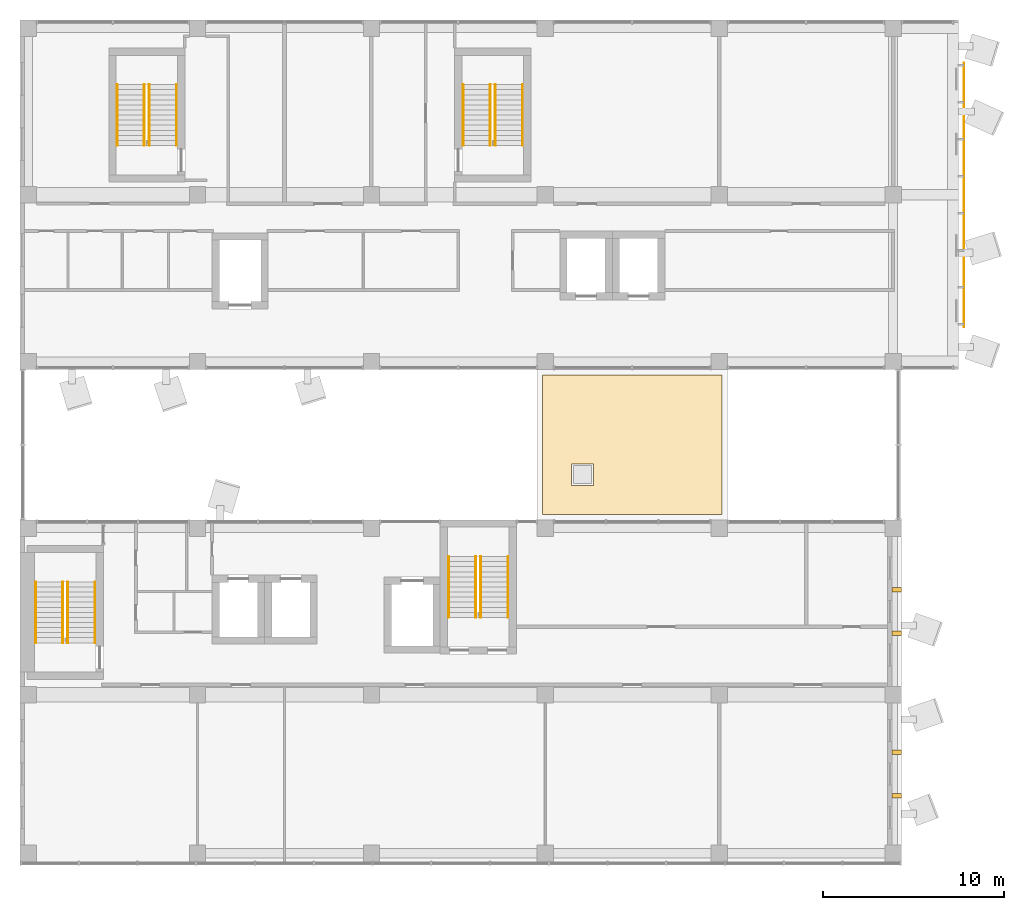
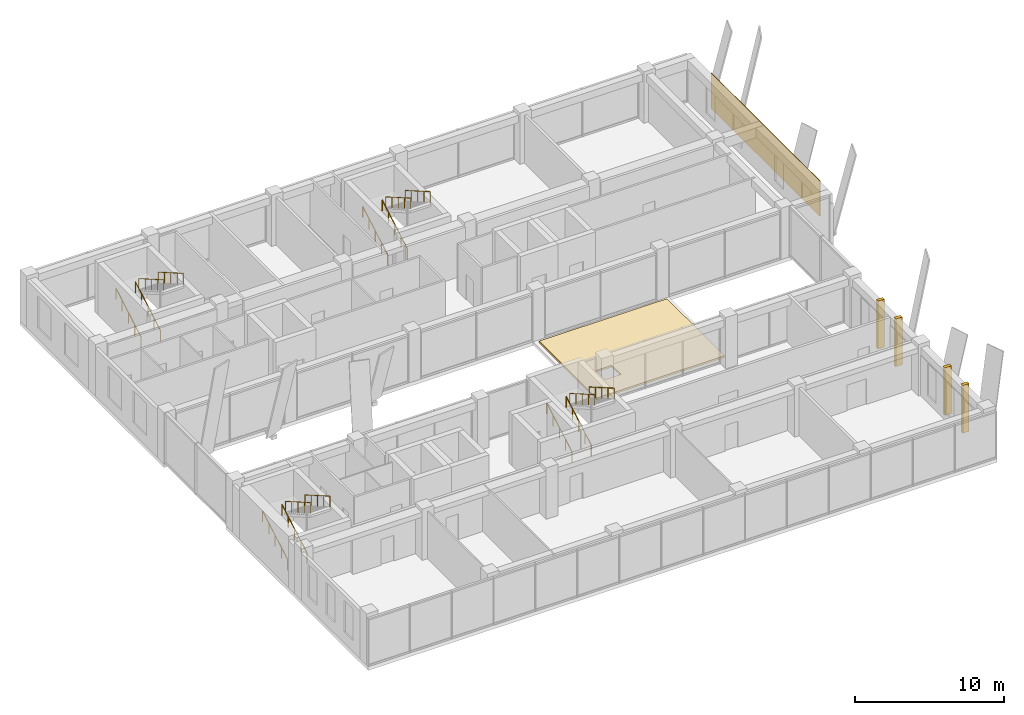
# One storey, part 33 of 38: 16 railings, 5 shading devices, 1 covering.
"""IFC4 building model written with IfcOpenShell, lengths in metres."""

from ifc_helpers import new_model, si_unit, direction, frame, origin, origin_2d, place, context, subcontext, project, spatial, polyline, rectangle, circle, outline, extrude, material, layer, layer_set, type_object, element, save


model = new_model("IFC4")

# Units and contexts
model_context = context("Model", 3, precision=1e-05, world=origin(), true_north=direction((0.0, 1.0)))
body_context = subcontext(model_context, "Body", "Model", "MODEL_VIEW")
ifc_project = project(units=[si_unit("LENGTHUNIT", "METRE"), si_unit("AREAUNIT", "SQUARE_METRE"), si_unit("VOLUMEUNIT", "CUBIC_METRE"), si_unit("PLANEANGLEUNIT", "RADIAN"), si_unit("MASSUNIT", "GRAM", prefix="KILO")], contexts=[model_context])

# Site, building, storey
site_placement = place(None, origin())
site = spatial("IfcSite", under=ifc_project, at=site_placement, CompositionType="ELEMENT")
building_placement = place(site_placement, origin())
building = spatial("IfcBuilding", under=site, at=building_placement, Name="Nzadi Deep Aquarium and Research Tower", CompositionType="ELEMENT")
storey_placement = place(building_placement, frame((0.0, 0.0, 52.89990234375)))
storey = spatial("IfcBuildingStorey", under=building, at=storey_placement, Name="L10", CompositionType="ELEMENT", Elevation=52.89990234375)

# Shading devices
ifc_material_1 = material(Name="Concrete C35/45", Category="concrete")
shading_device_type_1 = type_object("IfcShadingDeviceType", Name="Fin board-formed concrete 250 deep", PredefinedType="USERDEFINED", material=ifc_material_1)
for number, where, z_axis, x_axis, name in (
    (1, (48.199951171875, 3.625, 0.000244140625), (0.0, 0.0, 1.0), (1.0, 0.0, 0.0), "Fin blade A east L10"),
    (2, (48.199951171875, 6.02490234375, 0.000244140625), (0.0, 0.0, 1.0), (1.0, 0.0, 0.0), "Fin blade A east L10"),
    (3, (48.199951171875, 12.60009765625, 0.000244140625), (0.0, 0.0, 1.0), (1.0, 0.0, 0.0), "Fin blade A east L10"),
    (4, (48.199951171875, 15.0, 0.000244140625), (0.0, 0.0, 1.0), (1.0, 0.0, 0.0), "Fin blade A east L10"),
):
    element("IfcShadingDevice", number, at=place(storey_placement, frame(where, z_axis=z_axis, x_axis=x_axis)), inside=storey, type_object=shading_device_type_1, Name=name, ObjectType="Fin", PredefinedType="USERDEFINED", context=body_context, shape_type="SweptSolid", body=[
        extrude(rectangle(XDim=0.5, YDim=0.25, at=origin_2d()), origin(), (0.0, 0.0, 1.0), 3.89990234375),
    ])

# Railings
ifc_material_2 = material(Name="Stainless steel 1.4301", Category="steel")
railing_type = type_object("IfcRailingType", Name="HANDRAIL 900", PredefinedType="HANDRAIL", material=ifc_material_2)
for number, where, name in (
    (5, (0.659912109375, 12.070068359375, 0.16162109375), "HR-ST-Z1-SW-L10-F1"),
    (6, (2.1650390625, 12.070068359375, 0.16162109375), "HR-ST-Z1-SW-L10-F1W"),
):
    element("IfcRailing", number, at=place(storey_placement, frame(where)), inside=storey, type_object=railing_type, Name=name, PredefinedType="HANDRAIL", context=body_context, shape_type="SweptSolid", body=[
        extrude(circle(Radius=0.02392578125, at=origin_2d()), frame((0.0, 0.0, 0.8759765625), z_axis=(0.0, 0.866175107563, 0.499740615757), x_axis=(-1.0, 0.0, 0.0)), (0.0, 0.0, 1.0), 3.87890625),
        extrude(circle(Radius=0.02099609375, at=origin_2d()), origin(), (0.0, 0.0, 1.0), 0.851806640625),
        extrude(circle(Radius=0.02099609375, at=origin_2d()), frame((0.0, 0.83984375, 0.484619140625)), (0.0, 0.0, 1.0), 0.851806640625),
        extrude(circle(Radius=0.02099609375, at=origin_2d()), frame((0.0, 1.679931640625, 0.96923828125)), (0.0, 0.0, 1.0), 0.851806640625),
        extrude(circle(Radius=0.02099609375, at=origin_2d()), frame((0.0, 2.52001953125, 1.453857421875)), (0.0, 0.0, 1.0), 0.851806640625),
        extrude(circle(Radius=0.02099609375, at=origin_2d()), frame((0.0, 3.35986328125, 1.9384765625)), (0.0, 0.0, 1.0), 0.851806640625),
    ])
for number, where, name in (
    (7, (3.93994140625, 15.429931640625, 2.26171875), "HR-ST-Z1-SW-L10-F2"),
    (8, (2.43505859375, 15.429931640625, 2.26171875), "HR-ST-Z1-SW-L10-F2W"),
):
    element("IfcRailing", number, at=place(storey_placement, frame(where)), inside=storey, type_object=railing_type, Name=name, PredefinedType="HANDRAIL", context=body_context, shape_type="SweptSolid", body=[
        extrude(circle(Radius=0.02392578125, at=origin_2d()), frame((0.0, 0.0, 0.8759765625), z_axis=(0.0, -0.866175107563, 0.499740615757), x_axis=(1.0, 0.0, 0.0)), (0.0, 0.0, 1.0), 3.87890625),
        extrude(circle(Radius=0.02099609375, at=origin_2d()), origin(), (0.0, 0.0, 1.0), 0.851806640625),
        extrude(circle(Radius=0.02099609375, at=origin_2d()), frame((0.0, -0.83984375, 0.484619140625)), (0.0, 0.0, 1.0), 0.851806640625),
        extrude(circle(Radius=0.02099609375, at=origin_2d()), frame((0.0, -1.679931640625, 0.96923828125)), (0.0, 0.0, 1.0), 0.851806640625),
        extrude(circle(Radius=0.02099609375, at=origin_2d()), frame((0.0, -2.52001953125, 1.453857421875)), (0.0, 0.0, 1.0), 0.851806640625),
        extrude(circle(Radius=0.02099609375, at=origin_2d()), frame((0.0, -3.35986328125, 1.9384765625)), (0.0, 0.0, 1.0), 0.851806640625),
    ])
for number, where, name in (
    (9, (23.4599609375, 13.469970703125, 0.16162109375), "HR-ST-Z1-SE-L10-F1"),
    (10, (24.965087890625, 13.469970703125, 0.16162109375), "HR-ST-Z1-SE-L10-F1W"),
):
    element("IfcRailing", number, at=place(storey_placement, frame(where)), inside=storey, type_object=railing_type, Name=name, PredefinedType="HANDRAIL", context=body_context, shape_type="SweptSolid", body=[
        extrude(circle(Radius=0.02392578125, at=origin_2d()), frame((0.0, 0.0, 0.8759765625), z_axis=(0.0, 0.866190824863, 0.499713372768), x_axis=(-1.0, 0.0, 0.0)), (0.0, 0.0, 1.0), 3.879150390625),
        extrude(circle(Radius=0.02099609375, at=origin_2d()), origin(), (0.0, 0.0, 1.0), 0.851806640625),
        extrude(circle(Radius=0.02099609375, at=origin_2d()), frame((0.0, 0.840087890625, 0.484619140625)), (0.0, 0.0, 1.0), 0.851806640625),
        extrude(circle(Radius=0.02099609375, at=origin_2d()), frame((0.0, 1.68017578125, 0.96923828125)), (0.0, 0.0, 1.0), 0.851806640625),
        extrude(circle(Radius=0.02099609375, at=origin_2d()), frame((0.0, 2.52001953125, 1.453857421875)), (0.0, 0.0, 1.0), 0.851806640625),
        extrude(circle(Radius=0.02099609375, at=origin_2d()), frame((0.0, 3.360107421875, 1.9384765625)), (0.0, 0.0, 1.0), 0.851806640625),
    ])
for number, where, name in (
    (11, (26.739990234375, 16.830078125, 2.26171875), "HR-ST-Z1-SE-L10-F2"),
    (12, (25.235107421875, 16.830078125, 2.26171875), "HR-ST-Z1-SE-L10-F2W"),
):
    element("IfcRailing", number, at=place(storey_placement, frame(where)), inside=storey, type_object=railing_type, Name=name, PredefinedType="HANDRAIL", context=body_context, shape_type="SweptSolid", body=[
        extrude(circle(Radius=0.02392578125, at=origin_2d()), frame((0.0, 0.0, 0.8759765625), z_axis=(0.0, -0.866190824863, 0.499713372768), x_axis=(1.0, 0.0, 0.0)), (0.0, 0.0, 1.0), 3.879150390625),
        extrude(circle(Radius=0.02099609375, at=origin_2d()), origin(), (0.0, 0.0, 1.0), 0.851806640625),
        extrude(circle(Radius=0.02099609375, at=origin_2d()), frame((0.0, -0.840087890625, 0.484619140625)), (0.0, 0.0, 1.0), 0.851806640625),
        extrude(circle(Radius=0.02099609375, at=origin_2d()), frame((0.0, -1.68017578125, 0.96923828125)), (0.0, 0.0, 1.0), 0.851806640625),
        extrude(circle(Radius=0.02099609375, at=origin_2d()), frame((0.0, -2.52001953125, 1.453857421875)), (0.0, 0.0, 1.0), 0.851806640625),
        extrude(circle(Radius=0.02099609375, at=origin_2d()), frame((0.0, -3.360107421875, 1.9384765625)), (0.0, 0.0, 1.0), 0.851806640625),
    ])
for number, where, name in (
    (13, (5.159912109375, 39.52001953125, 0.16162109375), "HR-ST-Z1-NW-L10-F1"),
    (14, (6.6650390625, 39.52001953125, 0.16162109375), "HR-ST-Z1-NW-L10-F1W"),
):
    element("IfcRailing", number, at=place(storey_placement, frame(where)), inside=storey, type_object=railing_type, Name=name, PredefinedType="HANDRAIL", context=body_context, shape_type="SweptSolid", body=[
        extrude(circle(Radius=0.02392578125, at=origin_2d()), frame((0.0, 0.0, 0.8759765625), z_axis=(0.0, 0.866175107563, 0.499740615757), x_axis=(-1.0, 0.0, 0.0)), (0.0, 0.0, 1.0), 3.87890625),
        extrude(circle(Radius=0.02099609375, at=origin_2d()), origin(), (0.0, 0.0, 1.0), 0.851806640625),
        extrude(circle(Radius=0.02099609375, at=origin_2d()), frame((0.0, 0.83984375, 0.484619140625)), (0.0, 0.0, 1.0), 0.851806640625),
        extrude(circle(Radius=0.02099609375, at=origin_2d()), frame((0.0, 1.679931640625, 0.96923828125)), (0.0, 0.0, 1.0), 0.851806640625),
        extrude(circle(Radius=0.02099609375, at=origin_2d()), frame((0.0, 2.52001953125, 1.453857421875)), (0.0, 0.0, 1.0), 0.851806640625),
        extrude(circle(Radius=0.02099609375, at=origin_2d()), frame((0.0, 3.35986328125, 1.9384765625)), (0.0, 0.0, 1.0), 0.851806640625),
    ])
for number, where, name in (
    (15, (8.43994140625, 42.8798828125, 2.26171875), "HR-ST-Z1-NW-L10-F2"),
    (16, (6.93505859375, 42.8798828125, 2.26171875), "HR-ST-Z1-NW-L10-F2W"),
):
    element("IfcRailing", number, at=place(storey_placement, frame(where)), inside=storey, type_object=railing_type, Name=name, PredefinedType="HANDRAIL", context=body_context, shape_type="SweptSolid", body=[
        extrude(circle(Radius=0.02392578125, at=origin_2d()), frame((0.0, 0.0, 0.8759765625), z_axis=(0.0, -0.866175107563, 0.499740615757), x_axis=(1.0, 0.0, 0.0)), (0.0, 0.0, 1.0), 3.87890625),
        extrude(circle(Radius=0.02099609375, at=origin_2d()), origin(), (0.0, 0.0, 1.0), 0.851806640625),
        extrude(circle(Radius=0.02099609375, at=origin_2d()), frame((0.0, -0.83984375, 0.484619140625)), (0.0, 0.0, 1.0), 0.851806640625),
        extrude(circle(Radius=0.02099609375, at=origin_2d()), frame((0.0, -1.679931640625, 0.96923828125)), (0.0, 0.0, 1.0), 0.851806640625),
        extrude(circle(Radius=0.02099609375, at=origin_2d()), frame((0.0, -2.52001953125, 1.453857421875)), (0.0, 0.0, 1.0), 0.851806640625),
        extrude(circle(Radius=0.02099609375, at=origin_2d()), frame((0.0, -3.35986328125, 1.9384765625)), (0.0, 0.0, 1.0), 0.851806640625),
    ])
for number, where, name in (
    (17, (24.260009765625, 39.52001953125, 0.16162109375), "HR-ST-Z1-NE-L10-F1"),
    (18, (25.764892578125, 39.52001953125, 0.16162109375), "HR-ST-Z1-NE-L10-F1W"),
):
    element("IfcRailing", number, at=place(storey_placement, frame(where)), inside=storey, type_object=railing_type, Name=name, PredefinedType="HANDRAIL", context=body_context, shape_type="SweptSolid", body=[
        extrude(circle(Radius=0.02392578125, at=origin_2d()), frame((0.0, 0.0, 0.8759765625), z_axis=(0.0, 0.866175107563, 0.499740615757), x_axis=(-1.0, 0.0, 0.0)), (0.0, 0.0, 1.0), 3.87890625),
        extrude(circle(Radius=0.02099609375, at=origin_2d()), origin(), (0.0, 0.0, 1.0), 0.851806640625),
        extrude(circle(Radius=0.02099609375, at=origin_2d()), frame((0.0, 0.83984375, 0.484619140625)), (0.0, 0.0, 1.0), 0.851806640625),
        extrude(circle(Radius=0.02099609375, at=origin_2d()), frame((0.0, 1.679931640625, 0.96923828125)), (0.0, 0.0, 1.0), 0.851806640625),
        extrude(circle(Radius=0.02099609375, at=origin_2d()), frame((0.0, 2.52001953125, 1.453857421875)), (0.0, 0.0, 1.0), 0.851806640625),
        extrude(circle(Radius=0.02099609375, at=origin_2d()), frame((0.0, 3.35986328125, 1.9384765625)), (0.0, 0.0, 1.0), 0.851806640625),
    ])
for number, where, name in (
    (19, (27.5400390625, 42.8798828125, 2.26171875), "HR-ST-Z1-NE-L10-F2"),
    (20, (26.034912109375, 42.8798828125, 2.26171875), "HR-ST-Z1-NE-L10-F2W"),
):
    element("IfcRailing", number, at=place(storey_placement, frame(where)), inside=storey, type_object=railing_type, Name=name, PredefinedType="HANDRAIL", context=body_context, shape_type="SweptSolid", body=[
        extrude(circle(Radius=0.02392578125, at=origin_2d()), frame((0.0, 0.0, 0.8759765625), z_axis=(0.0, -0.866175107563, 0.499740615757), x_axis=(1.0, 0.0, 0.0)), (0.0, 0.0, 1.0), 3.87890625),
        extrude(circle(Radius=0.02099609375, at=origin_2d()), origin(), (0.0, 0.0, 1.0), 0.851806640625),
        extrude(circle(Radius=0.02099609375, at=origin_2d()), frame((0.0, -0.83984375, 0.484619140625)), (0.0, 0.0, 1.0), 0.851806640625),
        extrude(circle(Radius=0.02099609375, at=origin_2d()), frame((0.0, -1.679931640625, 0.96923828125)), (0.0, 0.0, 1.0), 0.851806640625),
        extrude(circle(Radius=0.02099609375, at=origin_2d()), frame((0.0, -2.52001953125, 1.453857421875)), (0.0, 0.0, 1.0), 0.851806640625),
        extrude(circle(Radius=0.02099609375, at=origin_2d()), frame((0.0, -3.35986328125, 1.9384765625)), (0.0, 0.0, 1.0), 0.851806640625),
    ])

# Shading device
ifc_material_3 = material(Name="Aluminium perforated sheet", Category="aluminium")
shading_device_type_2 = type_object("IfcShadingDeviceType", Name="Perforated screen 40 mm", PredefinedType="USERDEFINED", material=ifc_material_3)
shading_device_placement = place(storey_placement, frame((51.919921875, 36.800048828125, 0.60009765625), z_axis=(0.0, 0.0, 1.0), x_axis=(1.0, 0.0, 0.0)))
element("IfcShadingDevice", 21, at=shading_device_placement, inside=storey, type_object=shading_device_type_2, Name="Perforated screen L10 BE", ObjectType="Screen", PredefinedType="USERDEFINED", context=body_context, shape_type="SweptSolid", body=[
    extrude(rectangle(XDim=0.0400390625, YDim=14.60009765625, at=origin_2d()), origin(), (0.0, 0.0, 1.0), 2.89990234375),
])

# Covering
ifc_material_4 = material(Name="Bituminous membrane and mineral wool insulation")
ifc_layer = layer(ifc_material_4, 0.14990234375)
ifc_layer_set = layer_set([ifc_layer], Name="Bituminous membrane and mineral wool insulation")
covering_type = type_object("IfcCoveringType", Name="Roofing membrane and insulation 150", PredefinedType="ROOFING", material=ifc_layer_set)
covering_placement = place(storey_placement, origin())
element("IfcCovering", 22, at=covering_placement, inside=storey, type_object=covering_type, Name="Roofing", PredefinedType="ROOFING", context=body_context, shape_type="SweptSolid", body=[
    extrude(outline(polyline([(28.64990234375, 19.14990234375), (28.64990234375, 26.85009765625), (38.550048828125, 26.85009765625), (38.550048828125, 19.14990234375), (28.64990234375, 19.14990234375)]), holes=[polyline([(31.449951171875, 21.949951171875), (30.25, 21.949951171875), (30.25, 20.75), (31.449951171875, 20.75), (31.449951171875, 21.949951171875)])]), origin(), (0.0, 0.0, 1.0), 0.150146484375),
])

save(model, "model.ifc")
